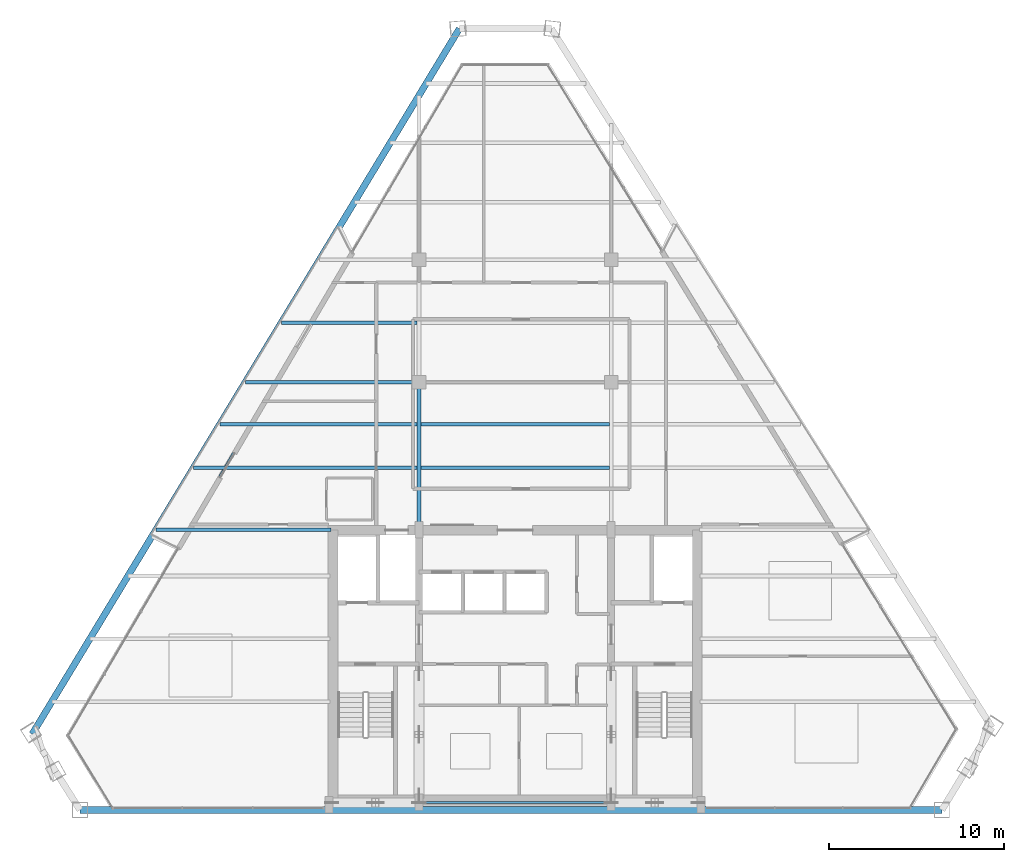
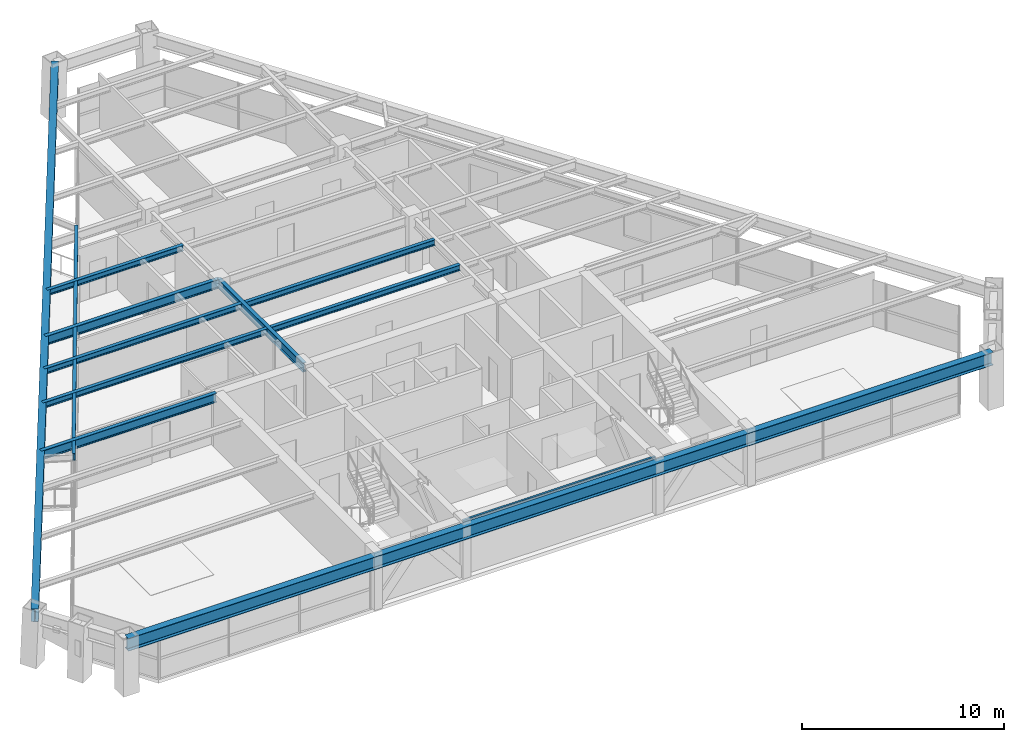
# One storey, part 3 of 13: 12 beams.
"""IFC4 building model written with IfcOpenShell, lengths in metres."""

from ifc_helpers import new_model, si_unit, direction, frame, origin, origin_2d, place, context, subcontext, project, spatial, i_section, extrude, source, transform, mapped, material, material_profile, profile_set, type_object, type_shapes, element, save


model = new_model("IFC4")

# Units and contexts
model_context = context("Model", 3, precision=1e-05, world=origin(), true_north=direction((0.0, 1.0)))
body_context = subcontext(model_context, "Body", "Model", "MODEL_VIEW")
ifc_project = project(units=[si_unit("LENGTHUNIT", "METRE"), si_unit("AREAUNIT", "SQUARE_METRE"), si_unit("VOLUMEUNIT", "CUBIC_METRE"), si_unit("PLANEANGLEUNIT", "RADIAN"), si_unit("MASSUNIT", "GRAM", prefix="KILO")], contexts=[model_context])

# Site, building, storey
site_placement = place(None, origin())
site = spatial("IfcSite", under=ifc_project, at=site_placement, CompositionType="ELEMENT")
building_placement = place(site_placement, origin())
building = spatial("IfcBuilding", under=site, at=building_placement, Name="Varnakhor Terracotta Tower", CompositionType="ELEMENT")
storey_placement = place(building_placement, frame((0.0, 0.0, 244.14990234375)))
storey = spatial("IfcBuildingStorey", under=building, at=storey_placement, Name="L63", CompositionType="ELEMENT", Elevation=244.14990234375)

# Beams
ifc_material = material(Name="Steel S355", Category="steel")
ifc_material_profile_1 = material_profile(ifc_material, i_section(OverallWidth=0.1201171875, OverallDepth=0.239990234375, WebThickness=0.006103515625, FlangeThickness=0.009765625, FilletRadius=0.01806640625, at=origin_2d()), Name="IPE240")
ifc_profile_set_1 = profile_set([ifc_material_profile_1], Name="Steel S355")
beam_type_1 = type_object("IfcBeamType", Name="LNT-IPE240", PredefinedType="LINTEL", material=ifc_profile_set_1)
shared_shape_1 = source(origin(), body_context, "Body", "SweptSolid", [
    extrude(i_section(OverallWidth=0.1201171875, OverallDepth=0.239990234375, WebThickness=0.006103515625, FlangeThickness=0.009765625, FilletRadius=0.01806640625, at=origin_2d()), origin(), (0.0, 0.0, 1.0), 11.0),
])
type_shapes(beam_type_1, [shared_shape_1])
beam_1_placement = place(storey_placement, frame((-5.5, 0.419921875, 3.1201171875), z_axis=(1.0, 0.0, 0.0), x_axis=(0.0, 1.0, 0.0)))
element("IfcBeam", 1, at=beam_1_placement, inside=storey, type_object=beam_type_1, Name="L63 Core South Coupling Lintel", PredefinedType="LINTEL", context=body_context, shape_type="MappedRepresentation", body=[
    mapped(shared_shape_1, transform((0.0, 0.0, 0.0), scale=1.0)),
])
ifc_material_profile_2 = material_profile(ifc_material, i_section(OverallWidth=0.214111328125, OverallDepth=0.549072265625, WebThickness=0.014892578125, FlangeThickness=0.02392578125, FilletRadius=0.01806640625, at=origin_2d()), Name="W21X93")
ifc_profile_set_2 = profile_set([ifc_material_profile_2], Name="Steel S355")
beam_type_2 = type_object("IfcBeamType", Name="BM-W21X93", PredefinedType="BEAM", material=ifc_profile_set_2)
shared_shape_2 = source(origin(), body_context, "Body", "SweptSolid", [
    extrude(i_section(OverallWidth=0.214111328125, OverallDepth=0.549072265625, WebThickness=0.014892578125, FlangeThickness=0.02392578125, FilletRadius=0.01806640625, at=origin_2d()), origin(), (0.0, 0.0, 1.0), 8.449951171875),
])
type_shapes(beam_type_2, [shared_shape_2])
beam_2_placement = place(storey_placement, frame((-5.5, 16.050048828125, 2.965576171875), z_axis=(0.0, 1.0, 0.0), x_axis=(-1.0, 0.0, 0.0)))
element("IfcBeam", 2, at=beam_2_placement, inside=storey, type_object=beam_type_2, Name="L63 Primary Girder NS1-W", PredefinedType="BEAM", context=body_context, shape_type="MappedRepresentation", body=[
    mapped(shared_shape_2, transform((0.0, 0.0, 0.0), scale=1.0)),
])
ifc_material_profile_3 = material_profile(ifc_material, i_section(OverallWidth=0.202880859375, OverallDepth=0.346923828125, WebThickness=0.0078125, FlangeThickness=0.013427734375, FilletRadius=0.01806640625, at=origin_2d()), Name="W14X43")
ifc_profile_set_3 = profile_set([ifc_material_profile_3], Name="Steel S355")
beam_type_3 = type_object("IfcBeamType", Name="JST-W14X43", PredefinedType="JOIST", material=ifc_profile_set_3)
shared_shape_3 = source(origin(), body_context, "Body", "SweptSolid", [
    extrude(i_section(OverallWidth=0.202880859375, OverallDepth=0.346923828125, WebThickness=0.0078125, FlangeThickness=0.013427734375, FilletRadius=0.01806640625, at=origin_2d()), origin(), (0.0, 0.0, 1.0), 10.7939453125),
])
for number, where, z_axis, x_axis, name in (
    (3, (-5.39697265625, 19.60009765625, 3.066650390625), (1.0, 0.0, 0.0), (0.0, 1.0, 0.0), "L63 Composite Floor Joist 4-2"),
    (4, (-5.39697265625, 22.10009765625, 3.066650390625), (1.0, 0.0, 0.0), (0.0, 1.0, 0.0), "L63 Composite Floor Joist 5-2"),
):
    element("IfcBeam", number, at=place(storey_placement, frame(where, z_axis=z_axis, x_axis=x_axis)), inside=storey, type_object=beam_type_3, Name=name, PredefinedType="JOIST", context=body_context, shape_type="MappedRepresentation", body=[
        mapped(shared_shape_3, transform((0.0, 0.0, 0.0), scale=1.0)),
    ])
ifc_material_profile_4 = material_profile(ifc_material, i_section(OverallWidth=0.381103515625, OverallDepth=0.77294921875, WebThickness=0.01708984375, FlangeThickness=0.027099609375, FilletRadius=0.01806640625, at=origin_2d()), Name="W30X173")
ifc_profile_set_4 = profile_set([ifc_material_profile_4], Name="Steel S355")
beam_type_4 = type_object("IfcBeamType", Name="BM-W30X173", PredefinedType="BEAM", material=ifc_profile_set_4)
shared_shape_4 = source(origin(), body_context, "Body", "SweptSolid", [
    extrude(i_section(OverallWidth=0.381103515625, OverallDepth=0.77294921875, WebThickness=0.01708984375, FlangeThickness=0.027099609375, FilletRadius=0.01806640625, at=origin_2d()), origin(), (0.0, 0.0, 1.0), 49.354736328125),
])
beam_3_placement = place(storey_placement, frame((-24.91455078125, 0.0, 2.853515625), z_axis=(1.0, 0.0, 0.0), x_axis=(0.0, 1.0, 0.0)))
element("IfcBeam", 5, at=beam_3_placement, inside=storey, type_object=beam_type_4, Name="L63 Perimeter Spandrel 1", PredefinedType="BEAM", context=body_context, shape_type="MappedRepresentation", body=[
    mapped(shared_shape_4, transform((0.0, 0.0, 0.0), scale=1.0)),
])
shared_shape_5 = source(origin(), body_context, "Body", "SweptSolid", [
    extrude(i_section(OverallWidth=0.381103515625, OverallDepth=0.77294921875, WebThickness=0.01708984375, FlangeThickness=0.027099609375, FilletRadius=0.01806640625, at=origin_2d()), origin(), (0.0, 0.0, 1.0), 47.225830078125),
])
beam_4_placement = place(storey_placement, frame((-3.18798828125, 44.7373046875, 2.853515625), z_axis=(-0.518022705597, -0.855366866605, 0.0), x_axis=(0.855366866605, -0.518022705597, 0.0)))
element("IfcBeam", 6, at=beam_4_placement, inside=storey, type_object=beam_type_4, Name="L63 Perimeter Spandrel 6", PredefinedType="BEAM", context=body_context, shape_type="MappedRepresentation", body=[
    mapped(shared_shape_5, transform((0.0, 0.0, 0.0), scale=1.0)),
])
ifc_material_profile_5 = material_profile(ifc_material, i_section(OverallWidth=0.179931640625, OverallDepth=0.39990234375, WebThickness=0.008544921875, FlangeThickness=0.013427734375, FilletRadius=0.01806640625, at=origin_2d()), Name="IPE400")
ifc_profile_set_5 = profile_set([ifc_material_profile_5], Name="Steel S355")
beam_type_5 = type_object("IfcBeamType", Name="JST-IPE400", PredefinedType="JOIST", material=ifc_profile_set_5)
shared_shape_6 = source(origin(), body_context, "Body", "SweptSolid", [
    extrude(i_section(OverallWidth=0.179931640625, OverallDepth=0.39990234375, WebThickness=0.008544921875, FlangeThickness=0.013427734375, FilletRadius=0.01806640625, at=origin_2d()), origin(), (0.0, 0.0, 1.0), 19.70068359375),
])
beam_5_placement = place(storey_placement, frame((-9.3388671875, 31.959716796875, 3.0400390625), z_axis=(-0.505884551296, -0.862601194504, 0.0), x_axis=(0.862601194504, -0.505884551296, 0.0)))
element("IfcBeam", 7, at=beam_5_placement, inside=storey, type_object=beam_type_5, Name="L63 Loggia Edge Beam 2", PredefinedType="JOIST", context=body_context, shape_type="MappedRepresentation", body=[
    mapped(shared_shape_6, transform((0.0, 0.0, 0.0), scale=1.0)),
])
shared_shape_7 = source(origin(), body_context, "Body", "SweptSolid", [
    extrude(i_section(OverallWidth=0.214111328125, OverallDepth=0.549072265625, WebThickness=0.014892578125, FlangeThickness=0.02392578125, FilletRadius=0.01806640625, at=origin_2d()), origin(), (0.0, 0.0, 1.0), 10.011474609375),
])
beam_6_placement = place(storey_placement, frame((-20.5615234375, 16.050048828125, 2.965576171875), z_axis=(1.0, 0.0, 0.0), x_axis=(0.0, 1.0, 0.0)))
element("IfcBeam", 8, at=beam_6_placement, inside=storey, type_object=beam_type_2, Name="L63 Wing Girder W", PredefinedType="BEAM", context=body_context, shape_type="MappedRepresentation", body=[
    mapped(shared_shape_7, transform((0.0, 0.0, 0.0), scale=1.0)),
])
shared_shape_8 = source(origin(), body_context, "Body", "SweptSolid", [
    extrude(i_section(OverallWidth=0.214111328125, OverallDepth=0.549072265625, WebThickness=0.014892578125, FlangeThickness=0.02392578125, FilletRadius=0.01806640625, at=origin_2d()), origin(), (0.0, 0.0, 1.0), 9.944091796875),
])
beam_7_placement = place(storey_placement, frame((-15.444091796875, 24.5, 2.965576171875), z_axis=(1.0, 0.0, 0.0), x_axis=(0.0, 1.0, 0.0)))
element("IfcBeam", 9, at=beam_7_placement, inside=storey, type_object=beam_type_2, Name="L63 Primary Girder EW2-1", PredefinedType="BEAM", context=body_context, shape_type="MappedRepresentation", body=[
    mapped(shared_shape_8, transform((0.0, 0.0, 0.0), scale=1.0)),
])
shared_shape_9 = source(origin(), body_context, "Body", "SweptSolid", [
    extrude(i_section(OverallWidth=0.202880859375, OverallDepth=0.346923828125, WebThickness=0.0078125, FlangeThickness=0.013427734375, FilletRadius=0.01806640625, at=origin_2d()), origin(), (0.0, 0.0, 1.0), 12.80859375),
])
beam_8_placement = place(storey_placement, frame((-18.41162109375, 19.60009765625, 3.066650390625), z_axis=(1.0, 0.0, 0.0), x_axis=(0.0, 1.0, 0.0)))
element("IfcBeam", 10, at=beam_8_placement, inside=storey, type_object=beam_type_3, Name="L63 Composite Floor Joist 4-1", PredefinedType="JOIST", context=body_context, shape_type="MappedRepresentation", body=[
    mapped(shared_shape_9, transform((0.0, 0.0, 0.0), scale=1.0)),
])
shared_shape_10 = source(origin(), body_context, "Body", "SweptSolid", [
    extrude(i_section(OverallWidth=0.202880859375, OverallDepth=0.346923828125, WebThickness=0.0078125, FlangeThickness=0.013427734375, FilletRadius=0.01806640625, at=origin_2d()), origin(), (0.0, 0.0, 1.0), 11.29443359375),
])
beam_9_placement = place(storey_placement, frame((-16.8974609375, 22.10009765625, 3.066650390625), z_axis=(1.0, 0.0, 0.0), x_axis=(0.0, 1.0, 0.0)))
element("IfcBeam", 11, at=beam_9_placement, inside=storey, type_object=beam_type_3, Name="L63 Composite Floor Joist 5-1", PredefinedType="JOIST", context=body_context, shape_type="MappedRepresentation", body=[
    mapped(shared_shape_10, transform((0.0, 0.0, 0.0), scale=1.0)),
])
shared_shape_11 = source(origin(), body_context, "Body", "SweptSolid", [
    extrude(i_section(OverallWidth=0.202880859375, OverallDepth=0.346923828125, WebThickness=0.0078125, FlangeThickness=0.013427734375, FilletRadius=0.01806640625, at=origin_2d()), origin(), (0.0, 0.0, 1.0), 7.781982421875),
])
beam_10_placement = place(storey_placement, frame((-13.385009765625, 27.89990234375, 3.066650390625), z_axis=(1.0, 0.0, 0.0), x_axis=(0.0, 1.0, 0.0)))
element("IfcBeam", 12, at=beam_10_placement, inside=storey, type_object=beam_type_3, Name="L63 Composite Floor Joist 6-1", PredefinedType="JOIST", context=body_context, shape_type="MappedRepresentation", body=[
    mapped(shared_shape_11, transform((0.0, 0.0, 0.0), scale=1.0)),
])

save(model, "model.ifc")
